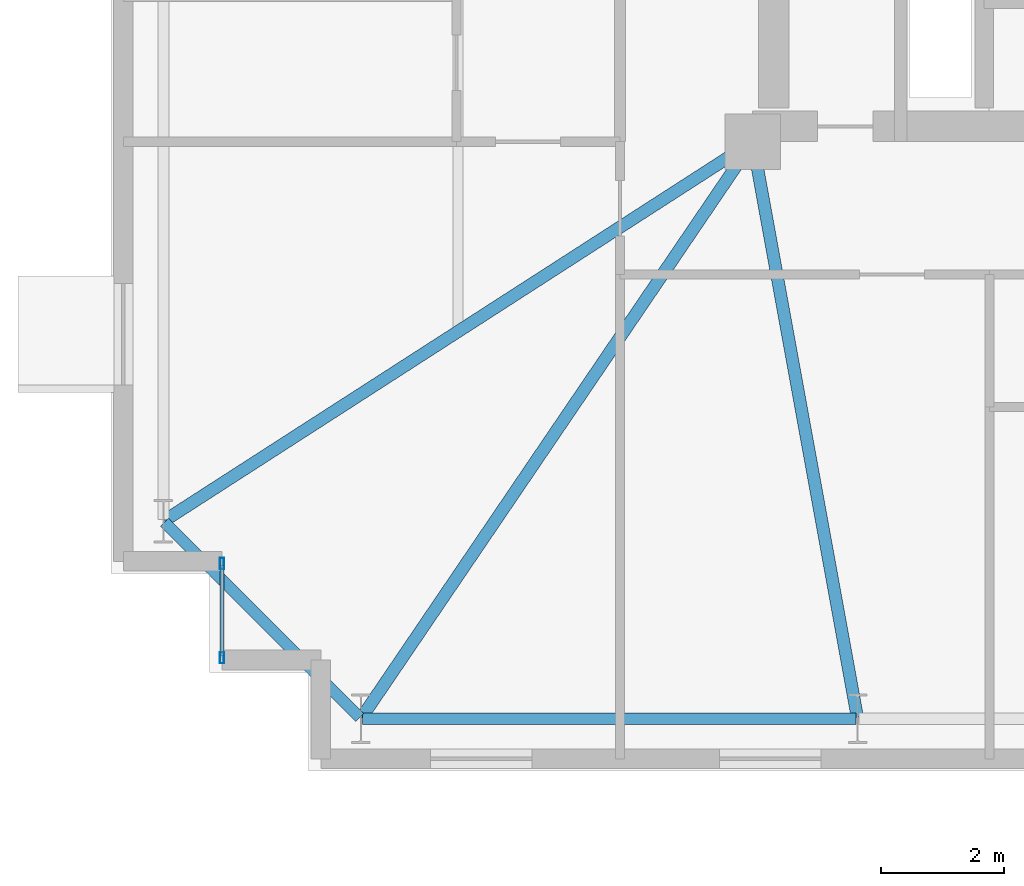
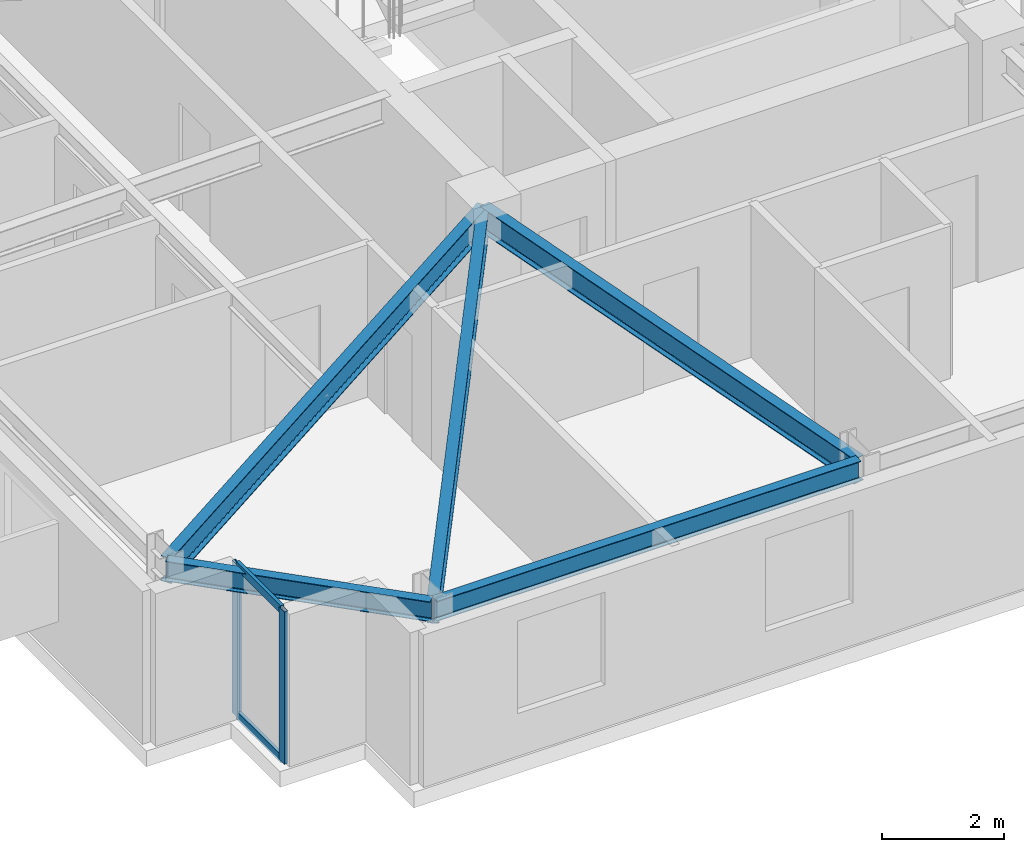
# One storey, part 3 of 18: 5 beams, 4 members, 1 element without a shape of its own.
"""IFC4 building model written with IfcOpenShell, lengths in metres."""

from ifc_helpers import new_model, si_unit, direction, frame, origin, origin_2d, place, context, subcontext, project, spatial, hollow_rectangle, i_section, extrude, material, layer, layer_set, material_profile, profile_set, type_object, element, aggregate, save


model = new_model("IFC4")

# Units and contexts
model_context = context("Model", 3, precision=1e-05, world=origin(), true_north=direction((0.0, 1.0)))
body_context = subcontext(model_context, "Body", "Model", "MODEL_VIEW")
ifc_project = project(units=[si_unit("LENGTHUNIT", "METRE"), si_unit("AREAUNIT", "SQUARE_METRE"), si_unit("VOLUMEUNIT", "CUBIC_METRE"), si_unit("PLANEANGLEUNIT", "RADIAN"), si_unit("MASSUNIT", "GRAM", prefix="KILO")], contexts=[model_context])

# Site, building, storey
site_placement = place(None, origin())
site = spatial("IfcSite", under=ifc_project, at=site_placement, CompositionType="ELEMENT")
building_placement = place(site_placement, origin())
building = spatial("IfcBuilding", under=site, at=building_placement, Name="Qobustan Lattice House", CompositionType="ELEMENT")
storey_placement = place(building_placement, frame((0.0, 0.0, 151.10009765625)))
storey = spatial("IfcBuildingStorey", under=building, at=storey_placement, Name="L42", CompositionType="ELEMENT", Elevation=151.10009765625)

# Beams
ifc_material_1 = material(Name="Steel S355", Category="steel")
ifc_material_profile_1 = material_profile(ifc_material_1, i_section(OverallWidth=0.199951171875, OverallDepth=0.5, WebThickness=0.01025390625, FlangeThickness=0.01611328125, FilletRadius=0.02099609375, at=origin_2d()), Name="IPE500")
ifc_profile_set_1 = profile_set([ifc_material_profile_1], Name="Steel S355")
beam_type_1 = type_object("IfcBeamType", Name="BM-FLG-IPE500", PredefinedType="USERDEFINED", material=ifc_profile_set_1)
beam_1_placement = place(storey_placement, frame((-25.135986328125, -14.92919921875, 2.789794921875), z_axis=(0.561834572616, 0.827249607442, 0.0), x_axis=(-0.827249607442, 0.561834572616, 0.0)))
element("IfcBeam", 1, at=beam_1_placement, inside=storey, type_object=beam_type_1, Name="L42 primary floor girder RAD-S1W", ObjectType="GIRDER", PredefinedType="USERDEFINED", context=body_context, shape_type="SweptSolid", body=[
    extrude(i_section(OverallWidth=0.199951171875, OverallDepth=0.5, WebThickness=0.01025390625, FlangeThickness=0.01611328125, FilletRadius=0.02099609375, at=origin_2d()), origin(), (0.0, 0.0, 1.0), 11.25244140625),
])
beam_2_placement = place(storey_placement, frame((-17.1044921875, -14.92529296875, 2.789794921875), z_axis=(-0.178871801984, 0.983872389314, 0.0), x_axis=(-0.983872389314, -0.178871801984, 0.0)))
element("IfcBeam", 2, at=beam_2_placement, inside=storey, type_object=beam_type_1, Name="L42 primary floor girder RAD-S2", ObjectType="GIRDER", PredefinedType="USERDEFINED", context=body_context, shape_type="SweptSolid", body=[
    extrude(i_section(OverallWidth=0.199951171875, OverallDepth=0.5, WebThickness=0.01025390625, FlangeThickness=0.01611328125, FilletRadius=0.02099609375, at=origin_2d()), origin(), (0.0, 0.0, 1.0), 9.453125),
])
beam_3_placement = place(storey_placement, frame((-28.3291015625, -11.736572265625, 2.789794921875), z_axis=(0.840746836292, 0.5414284415, 0.0), x_axis=(-0.5414284415, 0.840746836292, 0.0)))
element("IfcBeam", 3, at=beam_3_placement, inside=storey, type_object=beam_type_1, Name="L42 primary floor girder RAD-W4", ObjectType="GIRDER", PredefinedType="USERDEFINED", context=body_context, shape_type="SweptSolid", body=[
    extrude(i_section(OverallWidth=0.199951171875, OverallDepth=0.5, WebThickness=0.01025390625, FlangeThickness=0.01611328125, FilletRadius=0.02099609375, at=origin_2d()), origin(), (0.0, 0.0, 1.0), 11.30908203125),
])
ifc_material_2 = material(Name="Steel S355", Category="steel")
ifc_material_profile_2 = material_profile(ifc_material_2, i_section(OverallWidth=0.179931640625, OverallDepth=0.39990234375, WebThickness=0.008544921875, FlangeThickness=0.013427734375, FilletRadius=0.02099609375, at=origin_2d()), Name="IPE400")
ifc_profile_set_2 = profile_set([ifc_material_profile_2], Name="Steel S355")
beam_type_2 = type_object("IfcBeamType", Name="BM-SPD-IPE400", PredefinedType="SPANDREL", material=ifc_profile_set_2)
beam_4_placement = place(storey_placement, frame((-25.125, -14.949951171875, 2.83984375), z_axis=(1.0, 0.0, 0.0), x_axis=(0.0, 1.0, 0.0)))
element("IfcBeam", 4, at=beam_4_placement, inside=storey, type_object=beam_type_2, Name="L42 perimeter spandrel S1-S2", PredefinedType="SPANDREL", context=body_context, shape_type="SweptSolid", body=[
    extrude(i_section(OverallWidth=0.179931640625, OverallDepth=0.39990234375, WebThickness=0.008544921875, FlangeThickness=0.013427734375, FilletRadius=0.02099609375, at=origin_2d()), origin(), (0.0, 0.0, 1.0), 8.0),
])
beam_5_placement = place(storey_placement, frame((-28.332275390625, -11.767578125, 2.83984375), z_axis=(0.707079505568, -0.707134055753, 0.0), x_axis=(0.707134055753, 0.707079505568, 0.0)))
element("IfcBeam", 5, at=beam_5_placement, inside=storey, type_object=beam_type_2, Name="L42 perimeter spandrel W4-S1", PredefinedType="SPANDREL", context=body_context, shape_type="SweptSolid", body=[
    extrude(i_section(OverallWidth=0.179931640625, OverallDepth=0.39990234375, WebThickness=0.008544921875, FlangeThickness=0.013427734375, FilletRadius=0.02099609375, at=origin_2d()), origin(), (0.0, 0.0, 1.0), 4.4755859375),
])

# Curtain wall, members
ifc_material_3 = material(Name="Anodised aluminium and low-E glazing", Category="aluminium")
ifc_layer = layer(ifc_material_3, 0.219970703125)
ifc_layer_set = layer_set([ifc_layer], Name="Anodised aluminium and low-E glazing")
curtain_wall_type = type_object("IfcCurtainWallType", Name="CW-FAC-02", PredefinedType="USERDEFINED", material=ifc_layer_set)
curtain_wall_placement = place(storey_placement, origin())
curtain_wall = element("IfcCurtainWall", 6, at=curtain_wall_placement, inside=storey, type_object=curtain_wall_type, Name="L42 serrated corner faceted glazing 3", ObjectType="CURTAIN WALL", PredefinedType="USERDEFINED")
ifc_material_4 = material(Name="Anodised aluminium EN AW-6063 T6", Category="aluminium")
ifc_material_profile_3 = material_profile(ifc_material_4, hollow_rectangle(XDim=0.070068359375, YDim=0.179931640625, WallThickness=0.00439453125, at=origin_2d()), Name="CWM-180x70")
ifc_profile_set_3 = profile_set([ifc_material_profile_3], Name="Anodised aluminium EN AW-6063 T6")
member_type_1 = type_object("IfcMemberType", Name="CWM-STD-180", PredefinedType="MULLION", material=ifc_profile_set_3)
member_1_placement = place(storey_placement, frame((-27.39990234375, -13.965087890625, 0.0), z_axis=(0.0, 0.0, 1.0), x_axis=(-1.0, 0.0, 0.0)))
member_1 = element("IfcMember", 7, at=member_1_placement, type_object=member_type_1, Name="CW-F2 mullion 1", PredefinedType="MULLION", context=body_context, shape_type="SweptSolid", body=[
    extrude(hollow_rectangle(XDim=0.070068359375, YDim=0.179931640625, WallThickness=0.00439453125, at=origin_2d()), origin(), (0.0, 0.0, 1.0), 3.039794921875),
])
member_2_placement = place(storey_placement, frame((-27.39990234375, -12.43505859375, 0.0), z_axis=(0.0, 0.0, 1.0), x_axis=(-1.0, 0.0, 0.0)))
member_2 = element("IfcMember", 8, at=member_2_placement, type_object=member_type_1, Name="CW-F2 mullion 2", PredefinedType="MULLION", context=body_context, shape_type="SweptSolid", body=[
    extrude(hollow_rectangle(XDim=0.070068359375, YDim=0.179931640625, WallThickness=0.00439453125, at=origin_2d()), origin(), (0.0, 0.0, 1.0), 3.039794921875),
])
ifc_material_5 = material(Name="Anodised aluminium EN AW-6063 T6", Category="aluminium")
ifc_material_profile_4 = material_profile(ifc_material_5, hollow_rectangle(XDim=0.06494140625, YDim=0.159912109375, WallThickness=0.00390625, at=origin_2d()), Name="CWT-160x65")
ifc_profile_set_4 = profile_set([ifc_material_profile_4], Name="Anodised aluminium EN AW-6063 T6")
member_type_2 = type_object("IfcMemberType", Name="CWT-HOR-160", PredefinedType="USERDEFINED", material=ifc_profile_set_4)
member_3_placement = place(storey_placement, frame((-27.39990234375, -13.929931640625, 0.032470703125), z_axis=(0.0, 1.0, 0.0), x_axis=(-1.0, 0.0, 0.0)))
member_3 = element("IfcMember", 9, at=member_3_placement, type_object=member_type_2, Name="CW-F2 transom 1.1", ObjectType="TRANSOM", PredefinedType="USERDEFINED", context=body_context, shape_type="SweptSolid", body=[
    extrude(hollow_rectangle(XDim=0.06494140625, YDim=0.159912109375, WallThickness=0.00390625, at=origin_2d()), origin(), (0.0, 0.0, 1.0), 1.4599609375),
])
member_4_placement = place(storey_placement, frame((-27.39990234375, -13.929931640625, 3.00732421875), z_axis=(0.0, 1.0, 0.0), x_axis=(-1.0, 0.0, 0.0)))
member_4 = element("IfcMember", 10, at=member_4_placement, type_object=member_type_2, Name="CW-F2 transom 1.2", ObjectType="TRANSOM", PredefinedType="USERDEFINED", context=body_context, shape_type="SweptSolid", body=[
    extrude(hollow_rectangle(XDim=0.06494140625, YDim=0.159912109375, WallThickness=0.00390625, at=origin_2d()), origin(), (0.0, 0.0, 1.0), 1.4599609375),
])
aggregate(curtain_wall, [member_1, member_2, member_3, member_4])

save(model, "model.ifc")
